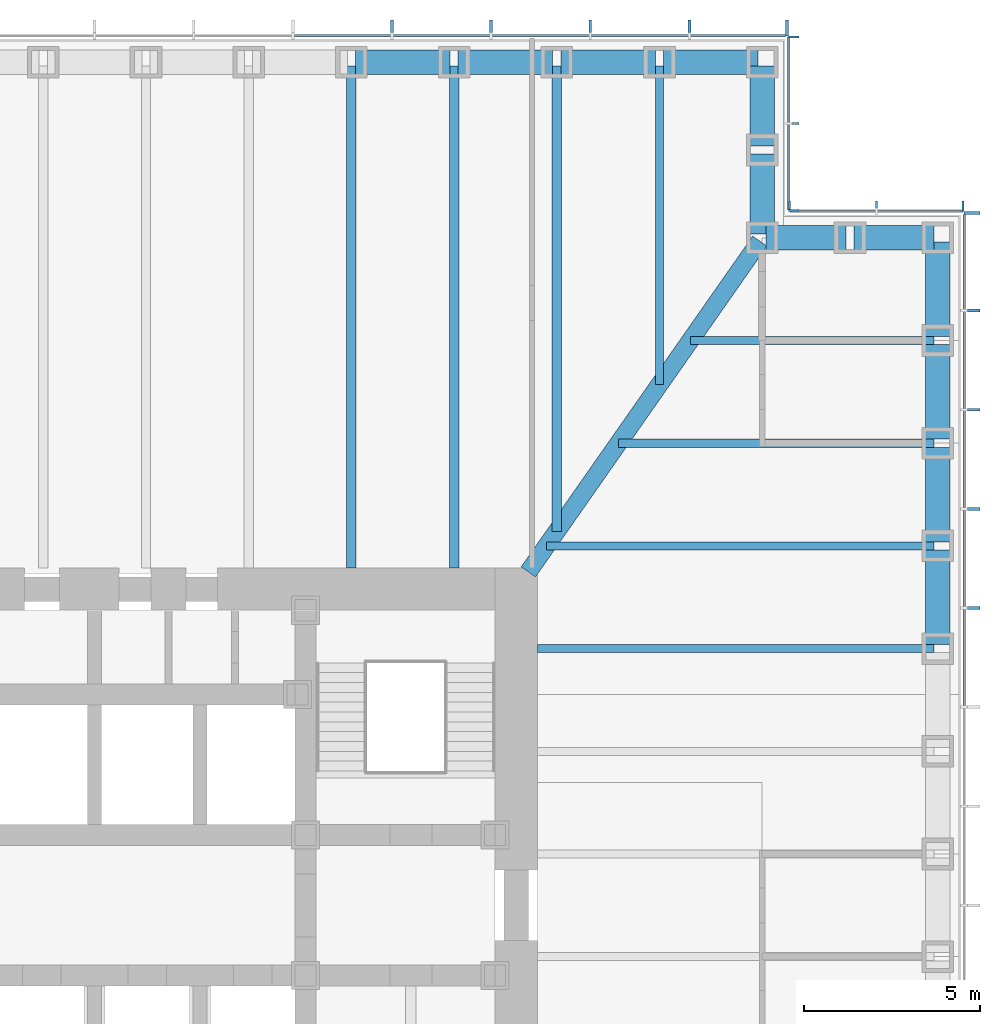
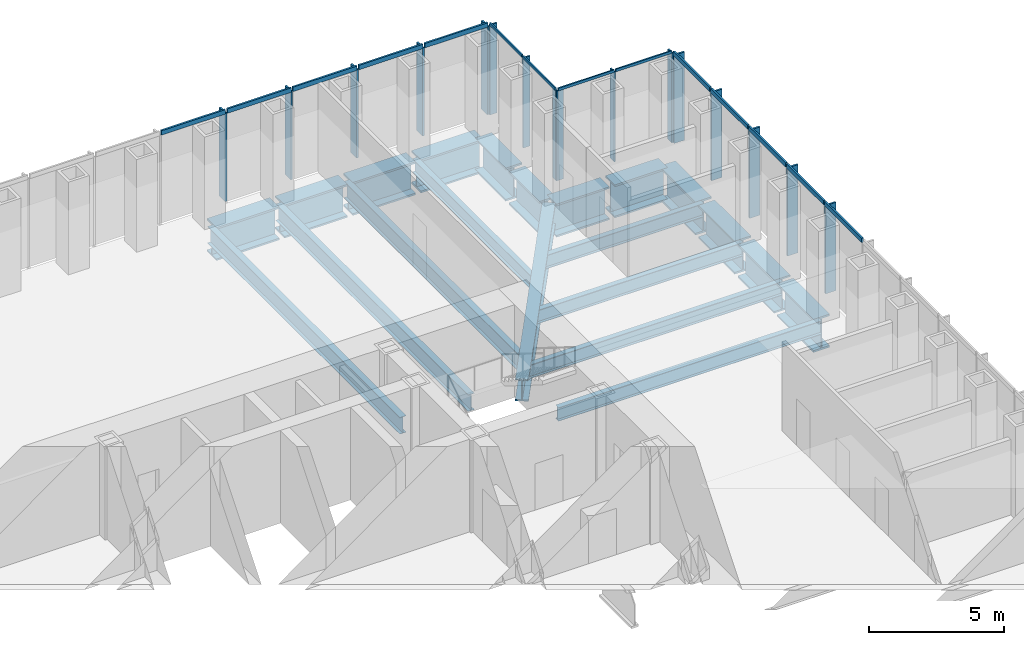
# One storey, part 6 of 16: 30 members, 21 beams, 4 elements without a shape of their own.
"""IFC4 building model written with IfcOpenShell, lengths in metres."""

from ifc_helpers import new_model, si_unit, direction, frame, origin, origin_2d, place, context, subcontext, project, spatial, rectangle, i_section, extrude, material, material_profile, profile_set, type_object, element, aggregate, save


model = new_model("IFC4")

# Units and contexts
model_context = context("Model", 3, precision=1e-05, world=origin(), true_north=direction((0.0, 1.0)))
body_context = subcontext(model_context, "Body", "Model", "MODEL_VIEW")
ifc_project = project(units=[si_unit("LENGTHUNIT", "METRE"), si_unit("AREAUNIT", "SQUARE_METRE"), si_unit("VOLUMEUNIT", "CUBIC_METRE"), si_unit("PLANEANGLEUNIT", "RADIAN"), si_unit("MASSUNIT", "GRAM", prefix="KILO")], contexts=[model_context])

# Site, building, storey
site_placement = place(None, origin())
site = spatial("IfcSite", under=ifc_project, at=site_placement, CompositionType="ELEMENT")
building_placement = place(site_placement, origin())
building = spatial("IfcBuilding", under=site, at=building_placement, Name="Daluyong Arena Tower", CompositionType="ELEMENT")
storey_placement = place(building_placement, frame((0.0, 0.0, 72.699951171875)))
storey = spatial("IfcBuildingStorey", under=building, at=storey_placement, Name="L15", CompositionType="ELEMENT", Elevation=72.699951171875)

# Curtain wall, members
ifc_material_1 = material(Name="Bronze anodised aluminium and glass", Category="aluminium")
curtain_wall_type_1 = type_object("IfcCurtainWallType", Name="Curtain wall CW1", PredefinedType="USERDEFINED", material=ifc_material_1)
curtain_wall_1_placement = place(storey_placement, origin())
curtain_wall_1 = element("IfcCurtainWall", 1, at=curtain_wall_1_placement, inside=storey, type_object=curtain_wall_type_1, Name="curtain wall L15 E", ObjectType="UNITISED CURTAIN WALL", PredefinedType="USERDEFINED")
ifc_material_2 = material(Name="Bronze anodised aluminium fin", Category="aluminium")
ifc_material_profile_1 = material_profile(ifc_material_2, rectangle(XDim=0.449951171875, YDim=0.080078125, at=origin_2d()))
ifc_profile_set_1 = profile_set([ifc_material_profile_1], Name="Bronze anodised aluminium fin")
member_type_1 = type_object("IfcMemberType", Name="CW1 bronze fin 450x80", PredefinedType="MULLION", material=ifc_profile_set_1)
member_1_placement = place(storey_placement, frame((80.97509765625, 88.46435546875, 0.0), z_axis=(0.0, 0.0, 1.0), x_axis=(-1.0, 0.0, 0.0)))
member_1 = element("IfcMember", 2, at=member_1_placement, type_object=member_type_1, Name="curtain wall L15 E fin 11", PredefinedType="MULLION", context=body_context, shape_type="SweptSolid", body=[
    extrude(rectangle(XDim=0.449951171875, YDim=0.080078125, at=origin_2d()), origin(), (0.0, 0.0, 1.0), 4.0),
])
member_2_placement = place(storey_placement, frame((80.97509765625, 91.28564453125, 0.0), z_axis=(0.0, 0.0, 1.0), x_axis=(-1.0, 0.0, 0.0)))
member_2 = element("IfcMember", 3, at=member_2_placement, type_object=member_type_1, Name="curtain wall L15 E fin 12", PredefinedType="MULLION", context=body_context, shape_type="SweptSolid", body=[
    extrude(rectangle(XDim=0.449951171875, YDim=0.080078125, at=origin_2d()), origin(), (0.0, 0.0, 1.0), 4.0),
])
member_3_placement = place(storey_placement, frame((80.97509765625, 94.107177734375, 0.0), z_axis=(0.0, 0.0, 1.0), x_axis=(-1.0, 0.0, 0.0)))
member_3 = element("IfcMember", 4, at=member_3_placement, type_object=member_type_1, Name="curtain wall L15 E fin 13", PredefinedType="MULLION", context=body_context, shape_type="SweptSolid", body=[
    extrude(rectangle(XDim=0.449951171875, YDim=0.080078125, at=origin_2d()), origin(), (0.0, 0.0, 1.0), 4.0),
])
member_4_placement = place(storey_placement, frame((80.97509765625, 96.928466796875, 0.0), z_axis=(0.0, 0.0, 1.0), x_axis=(-1.0, 0.0, 0.0)))
member_4 = element("IfcMember", 5, at=member_4_placement, type_object=member_type_1, Name="curtain wall L15 E fin 14", PredefinedType="MULLION", context=body_context, shape_type="SweptSolid", body=[
    extrude(rectangle(XDim=0.449951171875, YDim=0.080078125, at=origin_2d()), origin(), (0.0, 0.0, 1.0), 4.0),
])
member_5_placement = place(storey_placement, frame((80.97509765625, 99.7099609375, 0.0), z_axis=(0.0, 0.0, 1.0), x_axis=(-1.0, 0.0, 0.0)))
member_5 = element("IfcMember", 6, at=member_5_placement, type_object=member_type_1, Name="curtain wall L15 E fin 15", PredefinedType="MULLION", context=body_context, shape_type="SweptSolid", body=[
    extrude(rectangle(XDim=0.449951171875, YDim=0.080078125, at=origin_2d()), origin(), (0.0, 0.0, 1.0), 4.0),
])

curtain_wall_2_placement = place(storey_placement, origin())
curtain_wall_2 = element("IfcCurtainWall", 7, at=curtain_wall_2_placement, inside=storey, type_object=curtain_wall_type_1, Name="curtain wall L15 N", ObjectType="UNITISED CURTAIN WALL", PredefinedType="USERDEFINED")
member_6_placement = place(storey_placement, frame((75.7099609375, 104.97509765625, 0.0), z_axis=(0.0, 0.0, 1.0), x_axis=(0.0, -1.0, 0.0)))
member_6 = element("IfcMember", 8, at=member_6_placement, type_object=member_type_1, Name="curtain wall L15 N fin 1", PredefinedType="MULLION", context=body_context, shape_type="SweptSolid", body=[
    extrude(rectangle(XDim=0.449951171875, YDim=0.080078125, at=origin_2d()), origin(), (0.0, 0.0, 1.0), 4.0),
])
member_7_placement = place(storey_placement, frame((72.928466796875, 104.97509765625, 0.0), z_axis=(0.0, 0.0, 1.0), x_axis=(0.0, -1.0, 0.0)))
member_7 = element("IfcMember", 9, at=member_7_placement, type_object=member_type_1, Name="curtain wall L15 N fin 2", PredefinedType="MULLION", context=body_context, shape_type="SweptSolid", body=[
    extrude(rectangle(XDim=0.449951171875, YDim=0.080078125, at=origin_2d()), origin(), (0.0, 0.0, 1.0), 4.0),
])
member_8_placement = place(storey_placement, frame((70.107177734375, 104.97509765625, 0.0), z_axis=(0.0, 0.0, 1.0), x_axis=(0.0, -1.0, 0.0)))
member_8 = element("IfcMember", 10, at=member_8_placement, type_object=member_type_1, Name="curtain wall L15 N fin 3", PredefinedType="MULLION", context=body_context, shape_type="SweptSolid", body=[
    extrude(rectangle(XDim=0.449951171875, YDim=0.080078125, at=origin_2d()), origin(), (0.0, 0.0, 1.0), 4.0),
])
member_9_placement = place(storey_placement, frame((67.28564453125, 104.97509765625, 0.0), z_axis=(0.0, 0.0, 1.0), x_axis=(0.0, -1.0, 0.0)))
member_9 = element("IfcMember", 11, at=member_9_placement, type_object=member_type_1, Name="curtain wall L15 N fin 4", PredefinedType="MULLION", context=body_context, shape_type="SweptSolid", body=[
    extrude(rectangle(XDim=0.449951171875, YDim=0.080078125, at=origin_2d()), origin(), (0.0, 0.0, 1.0), 4.0),
])
member_10_placement = place(storey_placement, frame((64.46435546875, 104.97509765625, 0.0), z_axis=(0.0, 0.0, 1.0), x_axis=(0.0, -1.0, 0.0)))
member_10 = element("IfcMember", 12, at=member_10_placement, type_object=member_type_1, Name="curtain wall L15 N fin 5", PredefinedType="MULLION", context=body_context, shape_type="SweptSolid", body=[
    extrude(rectangle(XDim=0.449951171875, YDim=0.080078125, at=origin_2d()), origin(), (0.0, 0.0, 1.0), 4.0),
])

# Member
ifc_material_3 = material(Name="Bronze anodised aluminium", Category="aluminium")
ifc_material_profile_2 = material_profile(ifc_material_3, rectangle(XDim=0.080078125, YDim=0.199951171875, at=origin_2d()))
ifc_profile_set_2 = profile_set([ifc_material_profile_2], Name="Bronze anodised aluminium")
member_type_2 = type_object("IfcMemberType", Name="CW1 stack transom 200x80", PredefinedType="USERDEFINED", material=ifc_profile_set_2)
member_11_placement = place(storey_placement, frame((80.75, 85.682861328125, 4.10009765625), z_axis=(0.0, 1.0, 0.0), x_axis=(-1.0, 0.0, 0.0)))
member_11 = element("IfcMember", 13, at=member_11_placement, type_object=member_type_2, Name="curtain wall L15 E transom 10", ObjectType="TRANSOM", PredefinedType="USERDEFINED", context=body_context, shape_type="SweptSolid", body=[
    extrude(rectangle(XDim=0.080078125, YDim=0.199951171875, at=origin_2d()), origin(), (0.0, 0.0, 1.0), 2.741455078125),
])

member_12_placement = place(storey_placement, frame((80.75, 88.50439453125, 4.10009765625), z_axis=(0.0, 1.0, 0.0), x_axis=(-1.0, 0.0, 0.0)))
member_12 = element("IfcMember", 14, at=member_12_placement, type_object=member_type_2, Name="curtain wall L15 E transom 11", ObjectType="TRANSOM", PredefinedType="USERDEFINED", context=body_context, shape_type="SweptSolid", body=[
    extrude(rectangle(XDim=0.080078125, YDim=0.199951171875, at=origin_2d()), origin(), (0.0, 0.0, 1.0), 2.7412109375),
])

member_13_placement = place(storey_placement, frame((80.75, 91.32568359375, 4.10009765625), z_axis=(0.0, 1.0, 0.0), x_axis=(-1.0, 0.0, 0.0)))
member_13 = element("IfcMember", 15, at=member_13_placement, type_object=member_type_2, Name="curtain wall L15 E transom 12", ObjectType="TRANSOM", PredefinedType="USERDEFINED", context=body_context, shape_type="SweptSolid", body=[
    extrude(rectangle(XDim=0.080078125, YDim=0.199951171875, at=origin_2d()), origin(), (0.0, 0.0, 1.0), 2.741455078125),
])

member_14_placement = place(storey_placement, frame((80.75, 94.147216796875, 4.10009765625), z_axis=(0.0, 1.0, 0.0), x_axis=(-1.0, 0.0, 0.0)))
member_14 = element("IfcMember", 16, at=member_14_placement, type_object=member_type_2, Name="curtain wall L15 E transom 13", ObjectType="TRANSOM", PredefinedType="USERDEFINED", context=body_context, shape_type="SweptSolid", body=[
    extrude(rectangle(XDim=0.080078125, YDim=0.199951171875, at=origin_2d()), origin(), (0.0, 0.0, 1.0), 2.741455078125),
])

member_15_placement = place(storey_placement, frame((80.75, 96.968505859375, 4.10009765625), z_axis=(0.0, 1.0, 0.0), x_axis=(-1.0, 0.0, 0.0)))
member_15 = element("IfcMember", 17, at=member_15_placement, type_object=member_type_2, Name="curtain wall L15 E transom 14", ObjectType="TRANSOM", PredefinedType="USERDEFINED", context=body_context, shape_type="SweptSolid", body=[
    extrude(rectangle(XDim=0.080078125, YDim=0.199951171875, at=origin_2d()), origin(), (0.0, 0.0, 1.0), 2.701416015625),
])

aggregate(curtain_wall_1, [member_1, member_2, member_3, member_4, member_5, member_11, member_12, member_13, member_14, member_15])

member_16_placement = place(storey_placement, frame((75.669921875, 104.75, 4.10009765625), z_axis=(-1.0, 0.0, 0.0), x_axis=(0.0, -1.0, 0.0)))
member_16 = element("IfcMember", 18, at=member_16_placement, type_object=member_type_2, Name="curtain wall L15 N transom 1", ObjectType="TRANSOM", PredefinedType="USERDEFINED", context=body_context, shape_type="SweptSolid", body=[
    extrude(rectangle(XDim=0.080078125, YDim=0.199951171875, at=origin_2d()), origin(), (0.0, 0.0, 1.0), 2.701416015625),
])

member_17_placement = place(storey_placement, frame((72.888671875, 104.75, 4.10009765625), z_axis=(-1.0, 0.0, 0.0), x_axis=(0.0, -1.0, 0.0)))
member_17 = element("IfcMember", 19, at=member_17_placement, type_object=member_type_2, Name="curtain wall L15 N transom 2", ObjectType="TRANSOM", PredefinedType="USERDEFINED", context=body_context, shape_type="SweptSolid", body=[
    extrude(rectangle(XDim=0.080078125, YDim=0.199951171875, at=origin_2d()), origin(), (0.0, 0.0, 1.0), 2.741455078125),
])

member_18_placement = place(storey_placement, frame((70.067138671875, 104.75, 4.10009765625), z_axis=(-1.0, 0.0, 0.0), x_axis=(0.0, -1.0, 0.0)))
member_18 = element("IfcMember", 20, at=member_18_placement, type_object=member_type_2, Name="curtain wall L15 N transom 3", ObjectType="TRANSOM", PredefinedType="USERDEFINED", context=body_context, shape_type="SweptSolid", body=[
    extrude(rectangle(XDim=0.080078125, YDim=0.199951171875, at=origin_2d()), origin(), (0.0, 0.0, 1.0), 2.741455078125),
])

member_19_placement = place(storey_placement, frame((67.24560546875, 104.75, 4.10009765625), z_axis=(-1.0, 0.0, 0.0), x_axis=(0.0, -1.0, 0.0)))
member_19 = element("IfcMember", 21, at=member_19_placement, type_object=member_type_2, Name="curtain wall L15 N transom 4", ObjectType="TRANSOM", PredefinedType="USERDEFINED", context=body_context, shape_type="SweptSolid", body=[
    extrude(rectangle(XDim=0.080078125, YDim=0.199951171875, at=origin_2d()), origin(), (0.0, 0.0, 1.0), 2.7412109375),
])

member_20_placement = place(storey_placement, frame((64.42431640625, 104.75, 4.10009765625), z_axis=(-1.0, 0.0, 0.0), x_axis=(0.0, -1.0, 0.0)))
member_20 = element("IfcMember", 22, at=member_20_placement, type_object=member_type_2, Name="curtain wall L15 N transom 5", ObjectType="TRANSOM", PredefinedType="USERDEFINED", context=body_context, shape_type="SweptSolid", body=[
    extrude(rectangle(XDim=0.080078125, YDim=0.199951171875, at=origin_2d()), origin(), (0.0, 0.0, 1.0), 2.741455078125),
])

aggregate(curtain_wall_2, [member_6, member_7, member_8, member_9, member_10, member_16, member_17, member_18, member_19, member_20])

# Curtain wall, members
ifc_material_4 = material(Name="Bronze anodised aluminium and glass", Category="aluminium")
curtain_wall_type_2 = type_object("IfcCurtainWallType", Name="Curtain wall CW7", PredefinedType="USERDEFINED", material=ifc_material_4)
curtain_wall_3_placement = place(storey_placement, origin())
curtain_wall_3 = element("IfcCurtainWall", 23, at=curtain_wall_3_placement, inside=storey, type_object=curtain_wall_type_2, Name="curtain wall L15 NE-N", ObjectType="UNITISED CURTAIN WALL", PredefinedType="USERDEFINED")
ifc_material_5 = material(Name="Bronze anodised aluminium fin", Category="aluminium")
ifc_material_profile_3 = material_profile(ifc_material_5, rectangle(XDim=0.300048828125, YDim=0.06005859375, at=origin_2d()))
ifc_profile_set_3 = profile_set([ifc_material_profile_3], Name="Bronze anodised aluminium fin")
member_type_3 = type_object("IfcMemberType", Name="CW7 bronze fin 300x60", PredefinedType="MULLION", material=ifc_profile_set_3)
member_21_placement = place(storey_placement, frame((80.719970703125, 99.89990234375, 0.0), z_axis=(0.0, 0.0, 1.0), x_axis=(0.0, -1.0, 0.0)))
member_21 = element("IfcMember", 24, at=member_21_placement, type_object=member_type_3, Name="curtain wall L15 NE-N fin 1", PredefinedType="MULLION", context=body_context, shape_type="SweptSolid", body=[
    extrude(rectangle(XDim=0.300048828125, YDim=0.06005859375, at=origin_2d()), origin(), (0.0, 0.0, 1.0), 4.080078125),
])
member_22_placement = place(storey_placement, frame((78.25, 99.89990234375, 0.0), z_axis=(0.0, 0.0, 1.0), x_axis=(0.0, -1.0, 0.0)))
member_22 = element("IfcMember", 25, at=member_22_placement, type_object=member_type_3, Name="curtain wall L15 NE-N fin 2", PredefinedType="MULLION", context=body_context, shape_type="SweptSolid", body=[
    extrude(rectangle(XDim=0.300048828125, YDim=0.06005859375, at=origin_2d()), origin(), (0.0, 0.0, 1.0), 4.080078125),
])
member_23_placement = place(storey_placement, frame((75.780029296875, 99.89990234375, 0.0), z_axis=(0.0, 0.0, 1.0), x_axis=(0.0, -1.0, 0.0)))
member_23 = element("IfcMember", 26, at=member_23_placement, type_object=member_type_3, Name="curtain wall L15 NE-N fin 3", PredefinedType="MULLION", context=body_context, shape_type="SweptSolid", body=[
    extrude(rectangle(XDim=0.300048828125, YDim=0.06005859375, at=origin_2d()), origin(), (0.0, 0.0, 1.0), 4.080078125),
])

curtain_wall_4_placement = place(storey_placement, origin())
curtain_wall_4 = element("IfcCurtainWall", 27, at=curtain_wall_4_placement, inside=storey, type_object=curtain_wall_type_2, Name="curtain wall L15 NE-E", ObjectType="UNITISED CURTAIN WALL", PredefinedType="USERDEFINED")
member_24_placement = place(storey_placement, frame((75.89990234375, 99.780029296875, 0.0), z_axis=(0.0, 0.0, 1.0), x_axis=(-1.0, 0.0, 0.0)))
member_24 = element("IfcMember", 28, at=member_24_placement, type_object=member_type_3, Name="curtain wall L15 NE-E fin 1", PredefinedType="MULLION", context=body_context, shape_type="SweptSolid", body=[
    extrude(rectangle(XDim=0.300048828125, YDim=0.06005859375, at=origin_2d()), origin(), (0.0, 0.0, 1.0), 4.080078125),
])
member_25_placement = place(storey_placement, frame((75.89990234375, 102.25, 0.0), z_axis=(0.0, 0.0, 1.0), x_axis=(-1.0, 0.0, 0.0)))
member_25 = element("IfcMember", 29, at=member_25_placement, type_object=member_type_3, Name="curtain wall L15 NE-E fin 2", PredefinedType="MULLION", context=body_context, shape_type="SweptSolid", body=[
    extrude(rectangle(XDim=0.300048828125, YDim=0.06005859375, at=origin_2d()), origin(), (0.0, 0.0, 1.0), 4.080078125),
])
member_26_placement = place(storey_placement, frame((75.89990234375, 104.719970703125, 0.0), z_axis=(0.0, 0.0, 1.0), x_axis=(-1.0, 0.0, 0.0)))
member_26 = element("IfcMember", 30, at=member_26_placement, type_object=member_type_3, Name="curtain wall L15 NE-E fin 3", PredefinedType="MULLION", context=body_context, shape_type="SweptSolid", body=[
    extrude(rectangle(XDim=0.300048828125, YDim=0.06005859375, at=origin_2d()), origin(), (0.0, 0.0, 1.0), 4.080078125),
])

# Member
ifc_material_6 = material(Name="Bronze anodised aluminium", Category="aluminium")
ifc_material_profile_4 = material_profile(ifc_material_6, rectangle(XDim=0.06005859375, YDim=0.1201171875, at=origin_2d()))
ifc_profile_set_4 = profile_set([ifc_material_profile_4], Name="Bronze anodised aluminium")
member_type_4 = type_object("IfcMemberType", Name="CW7 stack transom 120x60", PredefinedType="USERDEFINED", material=ifc_profile_set_4)
member_27_placement = place(storey_placement, frame((80.68994140625, 99.75, 4.14013671875), z_axis=(-1.0, 0.0, 0.0), x_axis=(0.0, -1.0, 0.0)))
member_27 = element("IfcMember", 31, at=member_27_placement, type_object=member_type_4, Name="curtain wall L15 NE-N transom 1", ObjectType="TRANSOM", PredefinedType="USERDEFINED", context=body_context, shape_type="SweptSolid", body=[
    extrude(rectangle(XDim=0.06005859375, YDim=0.1201171875, at=origin_2d()), origin(), (0.0, 0.0, 1.0), 2.409912109375),
])

member_28_placement = place(storey_placement, frame((78.219970703125, 99.75, 4.14013671875), z_axis=(-1.0, 0.0, 0.0), x_axis=(0.0, -1.0, 0.0)))
member_28 = element("IfcMember", 32, at=member_28_placement, type_object=member_type_4, Name="curtain wall L15 NE-N transom 2", ObjectType="TRANSOM", PredefinedType="USERDEFINED", context=body_context, shape_type="SweptSolid", body=[
    extrude(rectangle(XDim=0.06005859375, YDim=0.1201171875, at=origin_2d()), origin(), (0.0, 0.0, 1.0), 2.409912109375),
])

aggregate(curtain_wall_3, [member_21, member_22, member_23, member_27, member_28])

member_29_placement = place(storey_placement, frame((75.75, 99.81005859375, 4.14013671875), z_axis=(0.0, 1.0, 0.0), x_axis=(-1.0, 0.0, 0.0)))
member_29 = element("IfcMember", 33, at=member_29_placement, type_object=member_type_4, Name="curtain wall L15 NE-E transom 1", ObjectType="TRANSOM", PredefinedType="USERDEFINED", context=body_context, shape_type="SweptSolid", body=[
    extrude(rectangle(XDim=0.06005859375, YDim=0.1201171875, at=origin_2d()), origin(), (0.0, 0.0, 1.0), 2.409912109375),
])

member_30_placement = place(storey_placement, frame((75.75, 102.280029296875, 4.14013671875), z_axis=(0.0, 1.0, 0.0), x_axis=(-1.0, 0.0, 0.0)))
member_30 = element("IfcMember", 34, at=member_30_placement, type_object=member_type_4, Name="curtain wall L15 NE-E transom 2", ObjectType="TRANSOM", PredefinedType="USERDEFINED", context=body_context, shape_type="SweptSolid", body=[
    extrude(rectangle(XDim=0.06005859375, YDim=0.1201171875, at=origin_2d()), origin(), (0.0, 0.0, 1.0), 2.409912109375),
])

aggregate(curtain_wall_4, [member_24, member_25, member_26, member_29, member_30])

# Beams
ifc_material_7 = material(Name="Steel ASTM A572 Grade 50", Category="steel")
ifc_material_profile_5 = material_profile(ifc_material_7, i_section(OverallWidth=0.5, OverallDepth=1.0, WebThickness=0.03, FlangeThickness=0.06, at=origin_2d()))
ifc_profile_set_5 = profile_set([ifc_material_profile_5], Name="Steel ASTM A572 Grade 50")
beam_type_1 = type_object("IfcBeamType", Name="Corner girder TB1000X500", PredefinedType="BEAM", material=ifc_profile_set_5)
beam_1_placement = place(storey_placement, frame((74.93408203125, 98.90576171875, -0.659912109375), z_axis=(-0.573466621875, -0.819228926244, 0.0), x_axis=(0.819228926244, -0.573466621875, 0.0)))
element("IfcBeam", 35, at=beam_1_placement, inside=storey, type_object=beam_type_1, Name="corner girder DG2", PredefinedType="BEAM", context=body_context, shape_type="SweptSolid", body=[
    extrude(i_section(OverallWidth=0.5, OverallDepth=1.0, WebThickness=0.03, FlangeThickness=0.06, at=origin_2d()), origin(), (0.0, 0.0, 1.0), 11.49169921875),
])
ifc_material_8 = material(Name="Steel ASTM A992 Grade 50", Category="steel")
ifc_material_profile_6 = material_profile(ifc_material_8, i_section(OverallWidth=0.22900390625, OverallDepth=0.612060546875, WebThickness=0.011962890625, FlangeThickness=0.01953125, at=origin_2d()))
ifc_profile_set_6 = profile_set([ifc_material_profile_6], Name="Steel ASTM A992 Grade 50")
beam_type_2 = type_object("IfcBeamType", Name="Floor beam W24X84", PredefinedType="BEAM", material=ifc_profile_set_6)
beam_2_placement = place(storey_placement, frame((79.885009765625, 87.3076171875, -0.466064453125), z_axis=(-1.0, 0.0, 0.0), x_axis=(0.0, -1.0, 0.0)))
element("IfcBeam", 36, at=beam_2_placement, inside=storey, type_object=beam_type_2, Name="floor beam FB3", PredefinedType="BEAM", context=body_context, shape_type="SweptSolid", body=[
    extrude(i_section(OverallWidth=0.22900390625, OverallDepth=0.612060546875, WebThickness=0.011962890625, FlangeThickness=0.01953125, at=origin_2d()), origin(), (0.0, 0.0, 1.0), 11.284912109375),
])
beam_3_placement = place(storey_placement, frame((79.885009765625, 90.230712890625, -0.466064453125), z_axis=(-1.0, 0.0, 0.0), x_axis=(0.0, -1.0, 0.0)))
element("IfcBeam", 37, at=beam_3_placement, inside=storey, type_object=beam_type_2, Name="floor beam FB3", PredefinedType="BEAM", context=body_context, shape_type="SweptSolid", body=[
    extrude(i_section(OverallWidth=0.22900390625, OverallDepth=0.612060546875, WebThickness=0.011962890625, FlangeThickness=0.01953125, at=origin_2d()), origin(), (0.0, 0.0, 1.0), 11.0234375),
])
beam_4_placement = place(storey_placement, frame((79.885009765625, 93.15380859375, -0.466064453125), z_axis=(-1.0, 0.0, 0.0), x_axis=(0.0, -1.0, 0.0)))
element("IfcBeam", 38, at=beam_4_placement, inside=storey, type_object=beam_type_2, Name="floor beam FB3", PredefinedType="BEAM", context=body_context, shape_type="SweptSolid", body=[
    extrude(i_section(OverallWidth=0.22900390625, OverallDepth=0.612060546875, WebThickness=0.011962890625, FlangeThickness=0.01953125, at=origin_2d()), origin(), (0.0, 0.0, 1.0), 8.977294921875),
])
beam_5_placement = place(storey_placement, frame((79.885009765625, 96.076904296875, -0.466064453125), z_axis=(-1.0, 0.0, 0.0), x_axis=(0.0, -1.0, 0.0)))
element("IfcBeam", 39, at=beam_5_placement, inside=storey, type_object=beam_type_2, Name="floor beam FB3", PredefinedType="BEAM", context=body_context, shape_type="SweptSolid", body=[
    extrude(i_section(OverallWidth=0.22900390625, OverallDepth=0.612060546875, WebThickness=0.011962890625, FlangeThickness=0.01953125, at=origin_2d()), origin(), (0.0, 0.0, 1.0), 6.93115234375),
])
beam_6_placement = place(storey_placement, frame((72.076904296875, 103.885009765625, -0.466064453125), z_axis=(0.0, -1.0, 0.0), x_axis=(1.0, 0.0, 0.0)))
element("IfcBeam", 40, at=beam_6_placement, inside=storey, type_object=beam_type_2, Name="floor beam FB3", PredefinedType="BEAM", context=body_context, shape_type="SweptSolid", body=[
    extrude(i_section(OverallWidth=0.22900390625, OverallDepth=0.612060546875, WebThickness=0.011962890625, FlangeThickness=0.01953125, at=origin_2d()), origin(), (0.0, 0.0, 1.0), 9.060791015625),
])
ifc_material_9 = material(Name="Steel ASTM A992 Grade 50", Category="steel")
ifc_material_profile_7 = material_profile(ifc_material_9, i_section(OverallWidth=0.2666015625, OverallDepth=0.761962890625, WebThickness=0.014404296875, FlangeThickness=0.021484375, at=origin_2d()))
ifc_profile_set_7 = profile_set([ifc_material_profile_7], Name="Steel ASTM A992 Grade 50")
beam_type_3 = type_object("IfcBeamType", Name="Floor beam W30X116", PredefinedType="BEAM", material=ifc_profile_set_7)
beam_7_placement = place(storey_placement, frame((69.15380859375, 103.885009765625, -0.541015625), z_axis=(0.0, -1.0, 0.0), x_axis=(1.0, 0.0, 0.0)))
element("IfcBeam", 41, at=beam_7_placement, inside=storey, type_object=beam_type_3, Name="floor beam FB4", PredefinedType="BEAM", context=body_context, shape_type="SweptSolid", body=[
    extrude(i_section(OverallWidth=0.2666015625, OverallDepth=0.761962890625, WebThickness=0.014404296875, FlangeThickness=0.021484375, at=origin_2d()), origin(), (0.0, 0.0, 1.0), 13.236572265625),
])
for number, where, z_axis, x_axis, name in (
    (42, (66.230712890625, 103.885009765625, -0.541015625), (0.0, -1.0, 0.0), (1.0, 0.0, 0.0), "floor beam FB4"),
    (43, (63.3076171875, 103.885009765625, -0.541015625), (0.0, -1.0, 0.0), (1.0, 0.0, 0.0), "floor beam FB4"),
):
    element("IfcBeam", number, at=place(storey_placement, frame(where, z_axis=z_axis, x_axis=x_axis)), inside=storey, type_object=beam_type_3, Name=name, PredefinedType="BEAM", context=body_context, shape_type="SweptSolid", body=[
        extrude(i_section(OverallWidth=0.2666015625, OverallDepth=0.761962890625, WebThickness=0.014404296875, FlangeThickness=0.021484375, at=origin_2d()), origin(), (0.0, 0.0, 1.0), 14.284912109375),
    ])
ifc_material_10 = material(Name="Steel ASTM A572 Grade 50", Category="steel")
ifc_material_profile_8 = material_profile(ifc_material_10, i_section(OverallWidth=0.699951171875, OverallDepth=1.5, WebThickness=0.04, FlangeThickness=0.08, at=origin_2d()))
ifc_profile_set_8 = profile_set([ifc_material_profile_8], Name="Steel ASTM A572 Grade 50")
beam_type_4 = type_object("IfcBeamType", Name="Spandrel Z1 PG1500X700", PredefinedType="SPANDREL", material=ifc_profile_set_8)
for number, where, z_axis, x_axis, name in (
    (44, (80.0, 87.422607421875, -0.909912109375), (0.0, 1.0, 0.0), (-1.0, 0.0, 0.0), "spandrel z1 SB4"),
    (45, (80.0, 90.345703125, -0.909912109375), (0.0, 1.0, 0.0), (-1.0, 0.0, 0.0), "spandrel z1 SB4"),
    (46, (80.0, 93.268798828125, -0.909912109375), (0.0, 1.0, 0.0), (-1.0, 0.0, 0.0), "spandrel z1 SB4"),
    (47, (80.0, 96.19189453125, -0.909912109375), (0.0, 1.0, 0.0), (-1.0, 0.0, 0.0), "spandrel z1 SB4"),
):
    element("IfcBeam", number, at=place(storey_placement, frame(where, z_axis=z_axis, x_axis=x_axis)), inside=storey, type_object=beam_type_4, Name=name, PredefinedType="SPANDREL", context=body_context, shape_type="SweptSolid", body=[
        extrude(i_section(OverallWidth=0.699951171875, OverallDepth=1.5, WebThickness=0.04, FlangeThickness=0.08, at=origin_2d()), origin(), (0.0, 0.0, 1.0), 2.693115234375),
    ])
for number, where, z_axis, x_axis, name in (
    (48, (79.885009765625, 99.0, -0.909912109375), (-1.0, 0.0, 0.0), (0.0, -1.0, 0.0), "spandrel z1 SB4"),
    (49, (77.385009765625, 99.0, -0.909912109375), (-1.0, 0.0, 0.0), (0.0, -1.0, 0.0), "spandrel z1 SB4"),
    (50, (75.0, 99.114990234375, -0.909912109375), (0.0, 1.0, 0.0), (-1.0, 0.0, 0.0), "spandrel z1 SB4"),
    (51, (75.0, 101.614990234375, -0.909912109375), (0.0, 1.0, 0.0), (-1.0, 0.0, 0.0), "spandrel z1 SB4"),
):
    element("IfcBeam", number, at=place(storey_placement, frame(where, z_axis=z_axis, x_axis=x_axis)), inside=storey, type_object=beam_type_4, Name=name, PredefinedType="SPANDREL", context=body_context, shape_type="SweptSolid", body=[
        extrude(i_section(OverallWidth=0.699951171875, OverallDepth=1.5, WebThickness=0.04, FlangeThickness=0.08, at=origin_2d()), origin(), (0.0, 0.0, 1.0), 2.27001953125),
    ])
for number, where, z_axis, x_axis, name in (
    (52, (74.885009765625, 104.0, -0.909912109375), (-1.0, 0.0, 0.0), (0.0, -1.0, 0.0), "spandrel z1 SB4"),
    (53, (71.9619140625, 104.0, -0.909912109375), (-1.0, 0.0, 0.0), (0.0, -1.0, 0.0), "spandrel z1 SB4"),
    (54, (69.038818359375, 104.0, -0.909912109375), (-1.0, 0.0, 0.0), (0.0, -1.0, 0.0), "spandrel z1 SB4"),
    (55, (66.11572265625, 104.0, -0.909912109375), (-1.0, 0.0, 0.0), (0.0, -1.0, 0.0), "spandrel z1 SB4"),
):
    element("IfcBeam", number, at=place(storey_placement, frame(where, z_axis=z_axis, x_axis=x_axis)), inside=storey, type_object=beam_type_4, Name=name, PredefinedType="SPANDREL", context=body_context, shape_type="SweptSolid", body=[
        extrude(i_section(OverallWidth=0.699951171875, OverallDepth=1.5, WebThickness=0.04, FlangeThickness=0.08, at=origin_2d()), origin(), (0.0, 0.0, 1.0), 2.693115234375),
    ])

save(model, "model.ifc")
